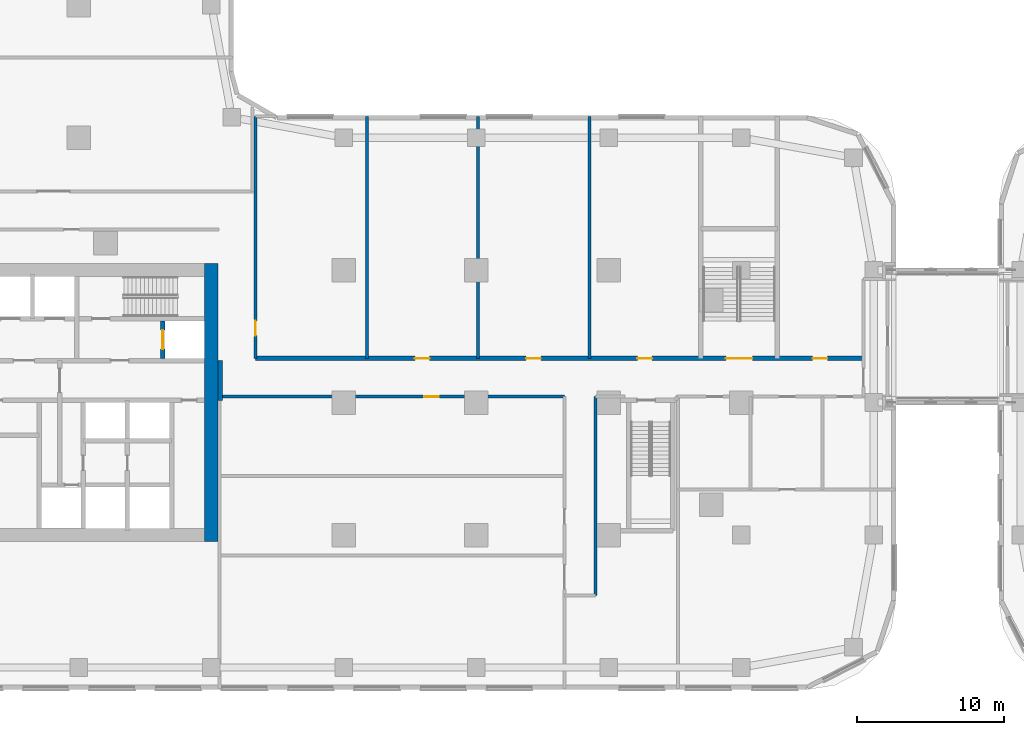
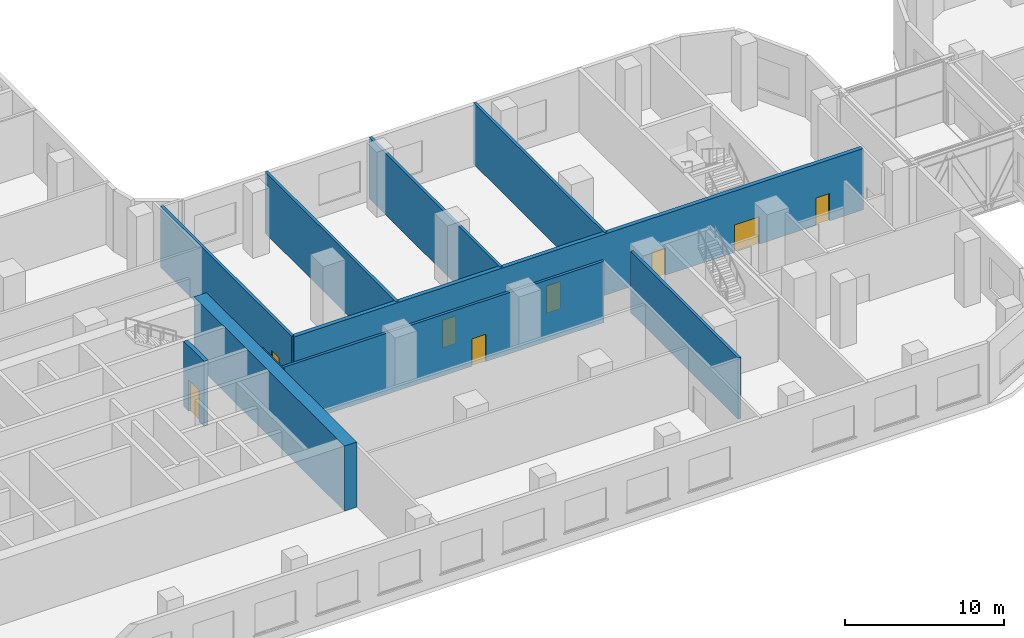
# One storey, part 8 of 35: 10 walls, 8 doors, 8 openings.
"""IFC4 building model written with IfcOpenShell, lengths in metres."""

from ifc_helpers import new_model, si_unit, direction, frame, frame_2d, origin, place, context, subcontext, project, spatial, rectangle, extrude, material, layer, layer_set, type_object, element, fill, save


model = new_model("IFC4")

# Units and contexts
model_context = context("Model", 3, precision=1e-05, world=origin(), true_north=direction((0.0, 1.0)))
body_context = subcontext(model_context, "Body", "Model", "MODEL_VIEW")
ifc_project = project(units=[si_unit("LENGTHUNIT", "METRE"), si_unit("AREAUNIT", "SQUARE_METRE"), si_unit("VOLUMEUNIT", "CUBIC_METRE"), si_unit("PLANEANGLEUNIT", "RADIAN"), si_unit("MASSUNIT", "GRAM", prefix="KILO")], contexts=[model_context])

# Site, building, storey
site_placement = place(None, origin())
site = spatial("IfcSite", under=ifc_project, at=site_placement, CompositionType="ELEMENT")
building_placement = place(site_placement, origin())
building = spatial("IfcBuilding", under=site, at=building_placement, Name="Ogive Portal Towers", CompositionType="ELEMENT")
storey_placement = place(building_placement, frame((0.0, 0.0, 18.5)))
storey = spatial("IfcBuildingStorey", under=building, at=storey_placement, Name="L03", CompositionType="ELEMENT", Elevation=18.5)

# Wall, opening, door
ifc_material_1 = material(Name="Concrete C60/75", Category="concrete")
ifc_layer_1 = layer(ifc_material_1, 0.300048828125)
ifc_layer_set_1 = layer_set([ifc_layer_1], Name="CORE WALL 300 C60")
wall_type_1 = type_object("IfcWallType", Name="CORE WALL 300 C60", PredefinedType="SHEAR", material=ifc_layer_set_1)
wall_1_placement = place(storey_placement, frame((55.199951171875, 33.5, 0.0), z_axis=(0.0, 0.0, 1.0), x_axis=(0.0, 1.0, 0.0)))
wall_1 = element("IfcWall", 1, at=wall_1_placement, inside=storey, type_object=wall_type_1, Name="Core wall X10 L03", PredefinedType="SHEAR", context=body_context, shape_type="SweptSolid", body=[
    extrude(rectangle(XDim=2.550048828125, YDim=0.300048828125, at=frame_2d((1.27490234375, 0.0))), origin(), (0.0, 0.0, 1.0), 5.0),
])
opening_1_placement = place(wall_1_placement, frame((0.625, 0.0, 0.0)))
opening_1 = element("IfcOpeningElement", 2, at=opening_1_placement, cuts=wall_1, Name="Opening D105-018", PredefinedType="OPENING", context=body_context, shape_type="SweptSolid", body=[
    extrude(rectangle(XDim=1.300048828125, YDim=2.39990234375, at=frame_2d((0.64990234375, 1.199951171875))), frame((0.0, 0.16015625, 0.0), z_axis=(0.0, -1.0, 0.0), x_axis=(1.0, 0.0, 0.0)), (0.0, 0.0, 1.0), 0.320068359375),
])
ifc_material_2 = material(Name="Stainless steel", Category="steel")
door_type_1 = type_object("IfcDoorType", Name="DT-LD-1300x2400", OperationType="SLIDING_TO_LEFT", PredefinedType="DOOR", material=ifc_material_2)
door_1_placement = place(opening_1_placement, origin())
door_1 = element("IfcDoor", 3, at=door_1_placement, inside=storey, type_object=door_type_1, Name="Door D105-018", OperationType="SLIDING_TO_LEFT", OverallHeight=2.39990234375, OverallWidth=1.300048828125, PredefinedType="DOOR", context=body_context, shape_type="SweptSolid", body=[
    extrude(rectangle(XDim=1.300048828125, YDim=2.39990234375, at=frame_2d((0.64990234375, 1.199951171875))), frame((0.0, 0.02490234375, 0.0), z_axis=(0.0, -1.0, 0.0), x_axis=(1.0, 0.0, 0.0)), (0.0, 0.0, 1.0), 0.050048828125),
])
fill(opening_1, door_1)

# Wall
ifc_layer_2 = layer(ifc_material_1, 0.89990234375)
ifc_layer_set_2 = layer_set([ifc_layer_2], Name="CORE WALL 900 C60")
wall_type_2 = type_object("IfcWallType", Name="CORE WALL 900 C60", PredefinedType="SHEAR", material=ifc_layer_set_2)
wall_2_placement = place(storey_placement, frame((58.5, 21.050048828125, 0.0), z_axis=(0.0, 0.0, 1.0), x_axis=(0.0, 1.0, 0.0)))
element("IfcWall", 4, at=wall_2_placement, inside=storey, type_object=wall_type_2, Name="Core wall E L03", PredefinedType="SHEAR", context=body_context, shape_type="SweptSolid", body=[
    extrude(rectangle(XDim=18.89990234375, YDim=0.89990234375, at=frame_2d((9.449951171875, 0.0))), origin(), (0.0, 0.0, 1.0), 5.0),
])

# Wall, openings, doors
ifc_material_3 = material(Name="Concrete C50/60", Category="concrete")
ifc_layer_3 = layer(ifc_material_3, 0.300048828125)
ifc_layer_set_3 = layer_set([ifc_layer_3], Name="STAIR WALL 300 C50")
wall_type_3 = type_object("IfcWallType", Name="STAIR WALL 300 C50", PredefinedType="SHEAR", material=ifc_layer_set_3)
wall_3_placement = place(storey_placement, frame((61.5, 33.5, 0.0), z_axis=(0.0, 0.0, 1.0), x_axis=(1.0, 0.0, 0.0)))
wall_3 = element("IfcWall", 5, at=wall_3_placement, inside=storey, type_object=wall_type_3, Name="Stair wall ST-P1 L03", PredefinedType="SHEAR", context=body_context, shape_type="SweptSolid", body=[
    extrude(rectangle(XDim=41.300048828125, YDim=0.300048828125, at=frame_2d((20.64990234375, 0.0))), origin(), (0.0, 0.0, 1.0), 4.699951171875),
])
opening_2_placement = place(wall_3_placement, frame((31.949951171875, 0.0, 0.0)))
opening_2 = element("IfcOpeningElement", 6, at=opening_2_placement, cuts=wall_3, Name="Opening P03-003", PredefinedType="OPENING", context=body_context, shape_type="SweptSolid", body=[
    extrude(rectangle(XDim=1.800048828125, YDim=2.10009765625, at=frame_2d((0.89990234375, 1.050048828125))), frame((0.0, 0.16015625, 0.0), z_axis=(0.0, -1.0, 0.0), x_axis=(1.0, 0.0, 0.0)), (0.0, 0.0, 1.0), 0.320068359375),
])
opening_3_placement = place(wall_3_placement, frame((10.822998046875, 0.0, 0.0)))
opening_3 = element("IfcOpeningElement", 7, at=opening_3_placement, cuts=wall_3, Name="Opening P03-019", PredefinedType="OPENING", context=body_context, shape_type="SweptSolid", body=[
    extrude(rectangle(XDim=1.0, YDim=2.10009765625, at=frame_2d((0.5, 1.050048828125))), frame((0.0, 0.16015625, 0.0), z_axis=(0.0, -1.0, 0.0), x_axis=(1.0, 0.0, 0.0)), (0.0, 0.0, 1.0), 0.320068359375),
])
opening_4_placement = place(wall_3_placement, frame((18.385986328125, 0.0, 0.0)))
opening_4 = element("IfcOpeningElement", 8, at=opening_4_placement, cuts=wall_3, Name="Opening P03-020", PredefinedType="OPENING", context=body_context, shape_type="SweptSolid", body=[
    extrude(rectangle(XDim=1.0, YDim=2.10009765625, at=frame_2d((0.5, 1.050048828125))), frame((0.0, 0.16015625, 0.0), z_axis=(0.0, -1.0, 0.0), x_axis=(1.0, 0.0, 0.0)), (0.0, 0.0, 1.0), 0.320068359375),
])
opening_5_placement = place(wall_3_placement, frame((25.947998046875, 0.0, 0.0)))
opening_5 = element("IfcOpeningElement", 9, at=opening_5_placement, cuts=wall_3, Name="Opening P03-021", PredefinedType="OPENING", context=body_context, shape_type="SweptSolid", body=[
    extrude(rectangle(XDim=1.0, YDim=2.10009765625, at=frame_2d((0.5, 1.050048828125))), frame((0.0, 0.16015625, 0.0), z_axis=(0.0, -1.0, 0.0), x_axis=(1.0, 0.0, 0.0)), (0.0, 0.0, 1.0), 0.320068359375),
])
opening_6_placement = place(wall_3_placement, frame((37.85302734375, 0.0, 0.0)))
opening_6 = element("IfcOpeningElement", 10, at=opening_6_placement, cuts=wall_3, Name="Opening P03-022", PredefinedType="OPENING", context=body_context, shape_type="SweptSolid", body=[
    extrude(rectangle(XDim=1.0, YDim=2.10009765625, at=frame_2d((0.5, 1.050048828125))), frame((0.0, 0.16015625, 0.0), z_axis=(0.0, -1.0, 0.0), x_axis=(1.0, 0.0, 0.0)), (0.0, 0.0, 1.0), 0.320068359375),
])
ifc_material_4 = material(Name="Steel fire door", Category="steel")
door_type_2 = type_object("IfcDoorType", Name="DT-SWING-1000x2100-FD90S", OperationType="SINGLE_SWING_LEFT", PredefinedType="DOOR", material=ifc_material_4)
door_2_placement = place(opening_3_placement, origin())
door_2 = element("IfcDoor", 11, at=door_2_placement, inside=storey, type_object=door_type_2, Name="Door P03-019", OperationType="SINGLE_SWING_LEFT", OverallHeight=2.10009765625, OverallWidth=1.0, PredefinedType="DOOR", context=body_context, shape_type="SweptSolid", body=[
    extrude(rectangle(XDim=1.0, YDim=2.10009765625, at=frame_2d((0.5, 1.050048828125))), frame((0.0, 0.02490234375, 0.0), z_axis=(0.0, -1.0, 0.0), x_axis=(1.0, 0.0, 0.0)), (0.0, 0.0, 1.0), 0.050048828125),
])
fill(opening_3, door_2)
door_3_placement = place(opening_4_placement, origin())
door_3 = element("IfcDoor", 12, at=door_3_placement, inside=storey, type_object=door_type_2, Name="Door P03-020", OperationType="SINGLE_SWING_RIGHT", OverallHeight=2.10009765625, OverallWidth=1.0, PredefinedType="DOOR", context=body_context, shape_type="SweptSolid", body=[
    extrude(rectangle(XDim=1.0, YDim=2.10009765625, at=frame_2d((0.5, 1.050048828125))), frame((0.0, 0.02490234375, 0.0), z_axis=(0.0, -1.0, 0.0), x_axis=(1.0, 0.0, 0.0)), (0.0, 0.0, 1.0), 0.050048828125),
])
fill(opening_4, door_3)
door_4_placement = place(opening_5_placement, origin())
door_4 = element("IfcDoor", 13, at=door_4_placement, inside=storey, type_object=door_type_2, Name="Door P03-021", OperationType="SINGLE_SWING_LEFT", OverallHeight=2.10009765625, OverallWidth=1.0, PredefinedType="DOOR", context=body_context, shape_type="SweptSolid", body=[
    extrude(rectangle(XDim=1.0, YDim=2.10009765625, at=frame_2d((0.5, 1.050048828125))), frame((0.0, 0.02490234375, 0.0), z_axis=(0.0, -1.0, 0.0), x_axis=(1.0, 0.0, 0.0)), (0.0, 0.0, 1.0), 0.050048828125),
])
fill(opening_5, door_4)
door_5_placement = place(opening_6_placement, origin())
door_5 = element("IfcDoor", 14, at=door_5_placement, inside=storey, type_object=door_type_2, Name="Door P03-022", OperationType="SINGLE_SWING_RIGHT", OverallHeight=2.10009765625, OverallWidth=1.0, PredefinedType="DOOR", context=body_context, shape_type="SweptSolid", body=[
    extrude(rectangle(XDim=1.0, YDim=2.10009765625, at=frame_2d((0.5, 1.050048828125))), frame((0.0, 0.02490234375, 0.0), z_axis=(0.0, -1.0, 0.0), x_axis=(1.0, 0.0, 0.0)), (0.0, 0.0, 1.0), 0.050048828125),
])
fill(opening_6, door_5)
door_type_3 = type_object("IfcDoorType", Name="DT-SWING-1800x2100-FD90S", OperationType="SINGLE_SWING_LEFT", PredefinedType="DOOR", material=ifc_material_4)
door_6_placement = place(opening_2_placement, origin())
door_6 = element("IfcDoor", 15, at=door_6_placement, inside=storey, type_object=door_type_3, Name="Door P03-003", OperationType="SINGLE_SWING_LEFT", OverallHeight=2.10009765625, OverallWidth=1.800048828125, PredefinedType="DOOR", context=body_context, shape_type="SweptSolid", body=[
    extrude(rectangle(XDim=1.800048828125, YDim=2.10009765625, at=frame_2d((0.89990234375, 1.050048828125))), frame((0.0, 0.02490234375, 0.0), z_axis=(0.0, -1.0, 0.0), x_axis=(1.0, 0.0, 0.0)), (0.0, 0.0, 1.0), 0.050048828125),
])
fill(opening_2, door_6)

# Wall, opening, door
ifc_material_5 = material(Name="Gypsum board partition on steel studs", Category="steel")
ifc_layer_4 = layer(ifc_material_5, 0.199951171875)
ifc_layer_set_4 = layer_set([ifc_layer_4], Name="WT-PART-200-EI 60")
wall_type_4 = type_object("IfcWallType", Name="WT-PART-200-EI 60", PredefinedType="PARTITIONING", material=ifc_layer_set_4)
wall_4_placement = place(storey_placement, frame((58.969970703125, 30.89990234375, 0.0), z_axis=(0.0, 0.0, 1.0), x_axis=(1.0, 0.0, 0.0)))
wall_4 = element("IfcWall", 16, at=wall_4_placement, inside=storey, type_object=wall_type_4, Name="Wall L03:w016", PredefinedType="PARTITIONING", context=body_context, shape_type="SweptSolid", body=[
    extrude(rectangle(XDim=23.530029296875, YDim=0.199951171875, at=frame_2d((11.76513671875, 0.0))), origin(), (0.0, 0.0, 1.0), 4.699951171875),
])
opening_7_placement = place(wall_4_placement, frame((13.97998046875, 0.0, 0.0)))
opening_7 = element("IfcOpeningElement", 17, at=opening_7_placement, cuts=wall_4, Name="Opening P03-013", PredefinedType="OPENING", context=body_context, shape_type="SweptSolid", body=[
    extrude(rectangle(XDim=1.0, YDim=2.10009765625, at=frame_2d((0.5, 1.050048828125))), frame((0.0, 0.10986328125, 0.0), z_axis=(0.0, -1.0, 0.0), x_axis=(1.0, 0.0, 0.0)), (0.0, 0.0, 1.0), 0.219970703125),
])
door_type_4 = type_object("IfcDoorType", Name="DT-SWING-1000x2100-FD60S", OperationType="SINGLE_SWING_LEFT", PredefinedType="DOOR", material=ifc_material_4)
door_7_placement = place(opening_7_placement, origin())
door_7 = element("IfcDoor", 18, at=door_7_placement, inside=storey, type_object=door_type_4, Name="Door P03-013", OperationType="SINGLE_SWING_LEFT", OverallHeight=2.10009765625, OverallWidth=1.0, PredefinedType="DOOR", context=body_context, shape_type="SweptSolid", body=[
    extrude(rectangle(XDim=1.0, YDim=2.10009765625, at=frame_2d((0.5, 1.050048828125))), frame((0.0, 0.02490234375, 0.0), z_axis=(0.0, -1.0, 0.0), x_axis=(1.0, 0.0, 0.0)), (0.0, 0.0, 1.0), 0.050048828125),
])
fill(opening_7, door_7)

wall_5_placement = place(storey_placement, frame((61.5, 33.5, 0.0), z_axis=(0.0, 0.0, 1.0), x_axis=(0.0, 1.0, 0.0)))
wall_5 = element("IfcWall", 19, at=wall_5_placement, inside=storey, type_object=wall_type_4, Name="Wall L03:w096", PredefinedType="PARTITIONING", context=body_context, shape_type="SweptSolid", body=[
    extrude(rectangle(XDim=16.449951171875, YDim=0.199951171875, at=frame_2d((8.22509765625, 0.0))), origin(), (0.0, 0.0, 1.0), 4.699951171875),
])
opening_8_placement = place(wall_5_placement, frame((1.5419921875, 0.0, 0.0)))
opening_8 = element("IfcOpeningElement", 20, at=opening_8_placement, cuts=wall_5, Name="Opening P03-018", PredefinedType="OPENING", context=body_context, shape_type="SweptSolid", body=[
    extrude(rectangle(XDim=1.0, YDim=2.10009765625, at=frame_2d((0.5, 1.050048828125))), frame((0.0, 0.10986328125, 0.0), z_axis=(0.0, -1.0, 0.0), x_axis=(1.0, 0.0, 0.0)), (0.0, 0.0, 1.0), 0.219970703125),
])
door_8_placement = place(opening_8_placement, origin())
door_8 = element("IfcDoor", 21, at=door_8_placement, inside=storey, type_object=door_type_4, Name="Door P03-018", OperationType="SINGLE_SWING_RIGHT", OverallHeight=2.10009765625, OverallWidth=1.0, PredefinedType="DOOR", context=body_context, shape_type="SweptSolid", body=[
    extrude(rectangle(XDim=1.0, YDim=2.10009765625, at=frame_2d((0.5, 1.050048828125))), frame((0.0, 0.02490234375, 0.0), z_axis=(0.0, -1.0, 0.0), x_axis=(1.0, 0.0, 0.0)), (0.0, 0.0, 1.0), 0.050048828125),
])
fill(opening_8, door_8)

# Walls
for number, where, z_axis, x_axis, name in (
    (22, (69.06298828125, 33.5, 0.0), (0.0, 0.0, 1.0), (0.0, 1.0, 0.0), "Wall L03:w097"),
    (23, (76.625, 33.5, 0.0), (0.0, 0.0, 1.0), (0.0, 1.0, 0.0), "Wall L03:w098"),
    (24, (84.18798828125, 33.5, 0.0), (0.0, 0.0, 1.0), (0.0, 1.0, 0.0), "Wall L03:w100"),
):
    element("IfcWall", number, at=place(storey_placement, frame(where, z_axis=z_axis, x_axis=x_axis)), inside=storey, type_object=wall_type_4, Name=name, PredefinedType="PARTITIONING", context=body_context, shape_type="SweptSolid", body=[
        extrude(rectangle(XDim=16.429931640625, YDim=0.199951171875, at=frame_2d((8.21484375, 0.0))), origin(), (0.0, 0.0, 1.0), 4.699951171875),
    ])
wall_6_placement = place(storey_placement, frame((84.60009765625, 17.39990234375, 0.0), z_axis=(0.0, 0.0, 1.0), x_axis=(0.0, 1.0, 0.0)))
element("IfcWall", 25, at=wall_6_placement, inside=storey, type_object=wall_type_4, Name="Wall L03:w101", PredefinedType="PARTITIONING", context=body_context, shape_type="SweptSolid", body=[
    extrude(rectangle(XDim=13.5, YDim=0.199951171875, at=frame_2d((6.75, 0.0))), origin(), (0.0, 0.0, 1.0), 4.699951171875),
])
ifc_layer_5 = layer(ifc_material_5, 0.300048828125)
ifc_layer_set_5 = layer_set([ifc_layer_5], Name="WT-PART-300")
wall_type_5 = type_object("IfcWallType", Name="WT-PART-300", PredefinedType="PARTITIONING", material=ifc_layer_set_5)
wall_7_placement = place(storey_placement, frame((59.10009765625, 30.64990234375, 0.0), z_axis=(0.0, 0.0, 1.0), x_axis=(0.0, 1.0, 0.0)))
element("IfcWall", 26, at=wall_7_placement, inside=storey, type_object=wall_type_5, Name="Wall pw:017:L03", PredefinedType="PARTITIONING", context=body_context, shape_type="SweptSolid", body=[
    extrude(rectangle(XDim=2.7001953125, YDim=0.300048828125, at=frame_2d((1.35009765625, 0.0))), origin(), (0.0, 0.0, 1.0), 4.699951171875),
])

save(model, "model.ifc")
